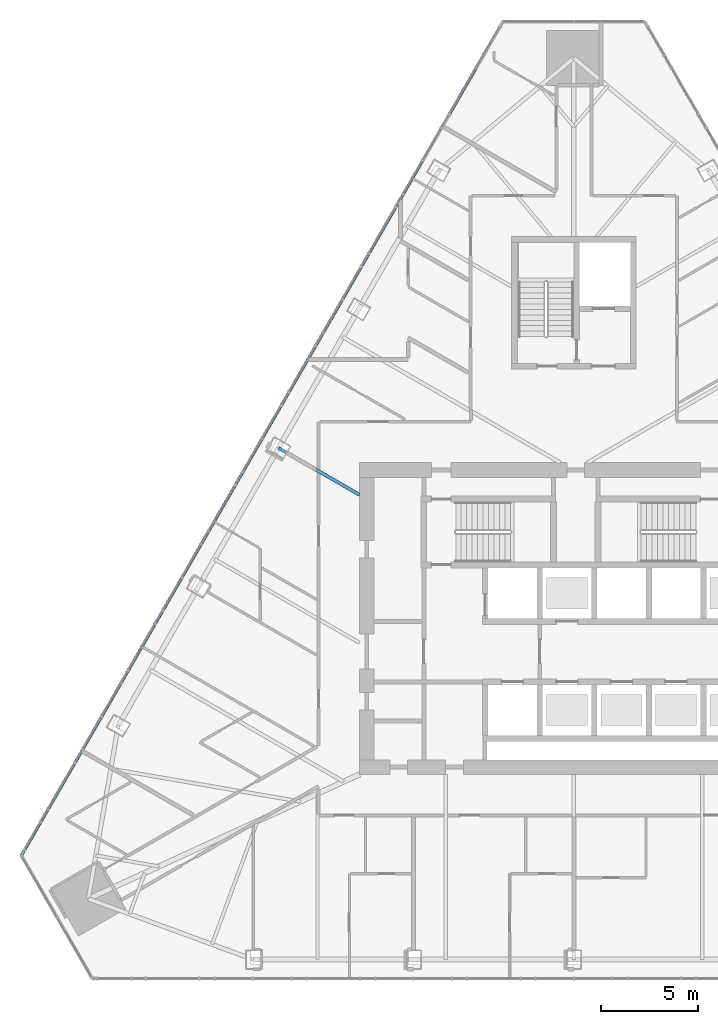
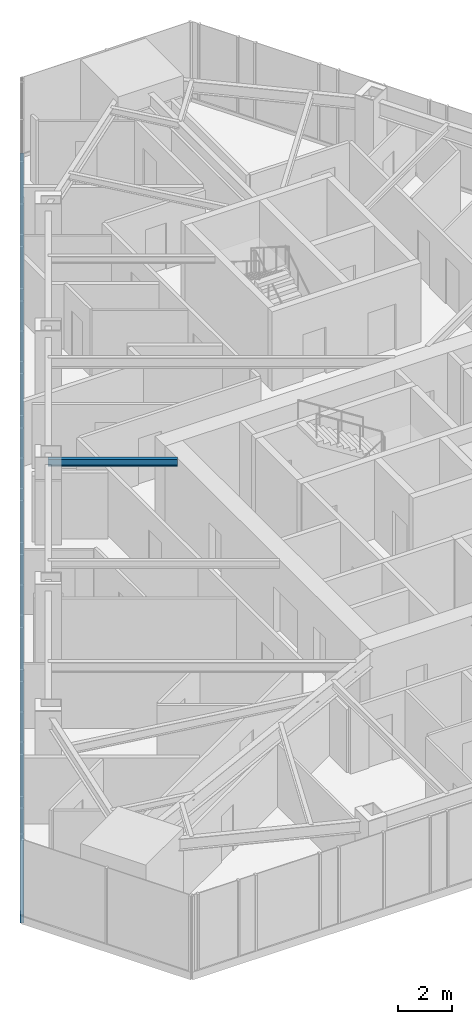
# One storey, part 5 of 24: 1 beam, 1 member, 1 element without a shape of its own.
"""IFC4 building model written with IfcOpenShell, lengths in metres."""

from ifc_helpers import new_model, si_unit, direction, frame, origin, origin_2d, place, context, subcontext, project, spatial, rectangle, i_section, extrude, material, layer, layer_set, material_profile, profile_set, type_object, element, aggregate, save


model = new_model("IFC4")

# Units and contexts
model_context = context("Model", 3, precision=1e-05, world=origin(), true_north=direction((0.0, 1.0)))
body_context = subcontext(model_context, "Body", "Model", "MODEL_VIEW")
ifc_project = project(units=[si_unit("LENGTHUNIT", "METRE"), si_unit("AREAUNIT", "SQUARE_METRE"), si_unit("VOLUMEUNIT", "CUBIC_METRE"), si_unit("PLANEANGLEUNIT", "RADIAN"), si_unit("MASSUNIT", "GRAM", prefix="KILO")], contexts=[model_context])

# Site, building, storey
site_placement = place(None, origin())
site = spatial("IfcSite", under=ifc_project, at=site_placement, CompositionType="ELEMENT")
building_placement = place(site_placement, origin())
building = spatial("IfcBuilding", under=site, at=building_placement, Name="Firuza Gate Tower and Library", CompositionType="ELEMENT")
storey_placement = place(building_placement, frame((0.0, 0.0, 237.699951171875)))
storey = spatial("IfcBuildingStorey", under=building, at=storey_placement, Name="L56", CompositionType="ELEMENT", Elevation=237.699951171875)

# Curtain wall, member
ifc_material_1 = material(Name="Aluminium 6063-T6", Category="aluminium")
ifc_layer = layer(ifc_material_1, 0.14990234375)
ifc_layer_set = layer_set([ifc_layer], Name="Unitised curtain wall, hotel")
curtain_wall_type = type_object("IfcCurtainWallType", Name="Unitised curtain wall, hotel", PredefinedType="NOTDEFINED", material=ifc_layer_set)
curtain_wall_placement = place(storey_placement, origin())
curtain_wall = element("IfcCurtainWall", 1, at=curtain_wall_placement, inside=storey, type_object=curtain_wall_type, Name="CW2 L56 W face", PredefinedType="NOTDEFINED")
ifc_material_2 = material(Name="Aluminium 6063-T6", Category="aluminium")
ifc_material_profile_1 = material_profile(ifc_material_2, rectangle(XDim=0.14990234375, YDim=0.35009765625, at=origin_2d()))
ifc_profile_set_1 = profile_set([ifc_material_profile_1], Name="Aluminium 6063-T6")
member_type = type_object("IfcMemberType", Name="Curtain wall transom 350x150", PredefinedType="USERDEFINED", material=ifc_profile_set_1)
member_placement = place(storey_placement, frame((71.356689453125, 105.647705078125, -0.02490234375), z_axis=(-0.49999858964, -0.866026218055, 0.0), x_axis=(0.866026218055, -0.49999858964, 0.0)))
member = element("IfcMember", 2, at=member_placement, type_object=member_type, Name="Transom", ObjectType="TRANSOM", PredefinedType="USERDEFINED", context=body_context, shape_type="SweptSolid", body=[
    extrude(rectangle(XDim=0.14990234375, YDim=0.35009765625, at=origin_2d()), origin(), (0.0, 0.0, 1.0), 49.440185546875),
])
aggregate(curtain_wall, [member])

# Beam
ifc_material_3 = material(Name="Steel S355", Category="steel")
ifc_material_profile_2 = material_profile(ifc_material_3, i_section(OverallWidth=0.1650390625, OverallDepth=0.31005859375, WebThickness=0.005859375, FlangeThickness=0.009765625, at=origin_2d()))
ifc_profile_set_2 = profile_set([ifc_material_profile_2], Name="Steel S355")
beam_type = type_object("IfcBeamType", Name="W310x39 Floor beam", PredefinedType="JOIST", material=ifc_profile_set_2)
beam_placement = place(storey_placement, frame((59.841064453125, 83.751953125, 3.445068359375), z_axis=(0.866028966346, -0.499993829411, 0.0), x_axis=(0.499993829411, 0.866028966346, 0.0)))
element("IfcBeam", 3, at=beam_placement, inside=storey, type_object=beam_type, Name="Floor beam L56 s82", PredefinedType="JOIST", context=body_context, shape_type="SweptSolid", body=[
    extrude(i_section(OverallWidth=0.1650390625, OverallDepth=0.31005859375, WebThickness=0.005859375, FlangeThickness=0.009765625, at=origin_2d()), origin(), (0.0, 0.0, 1.0), 4.80224609375),
])

save(model, "model.ifc")
